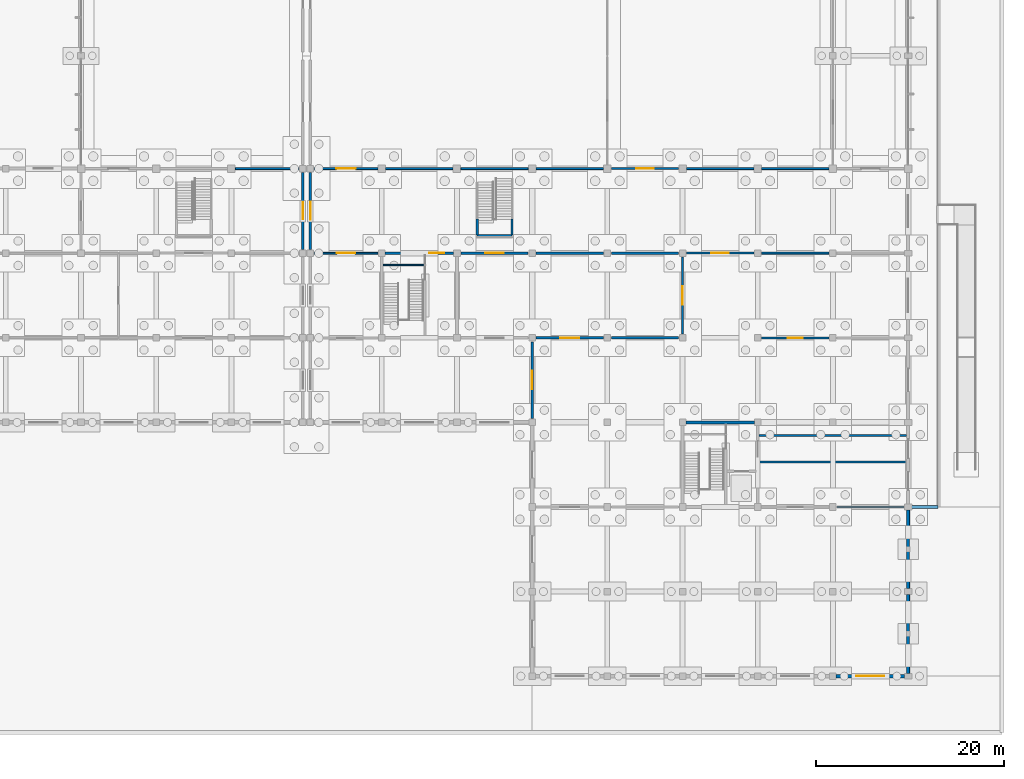
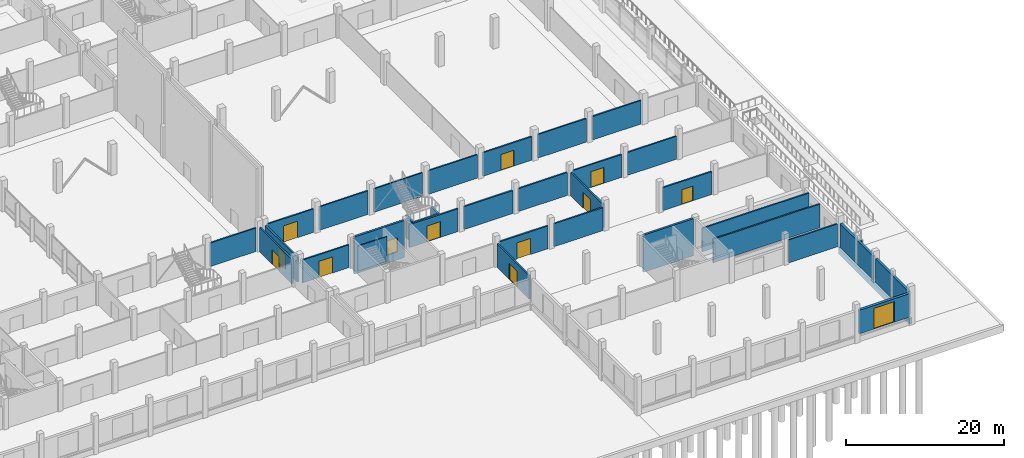
# One storey, part 53 of 72: 35 walls, 13 doors, 13 openings.
"""IFC4 building model written with IfcOpenShell, lengths in metres."""

from ifc_helpers import new_model, si_unit, direction, frame, frame_2d, origin, place, context, subcontext, project, spatial, rectangle, extrude, material, layer, layer_set, type_object, element, fill, save


model = new_model("IFC4")

# Units and contexts
model_context = context("Model", 3, precision=1e-05, world=origin(), true_north=direction((0.0, 1.0)))
body_context = subcontext(model_context, "Body", "Model", "MODEL_VIEW")
ifc_project = project(units=[si_unit("LENGTHUNIT", "METRE"), si_unit("AREAUNIT", "SQUARE_METRE"), si_unit("VOLUMEUNIT", "CUBIC_METRE"), si_unit("PLANEANGLEUNIT", "RADIAN"), si_unit("MASSUNIT", "GRAM", prefix="KILO"), si_unit("THERMODYNAMICTEMPERATUREUNIT", "KELVIN"), si_unit("POWERUNIT", "WATT")], contexts=[model_context])

# Site, building, storey
site_placement = place(None, origin())
site = spatial("IfcSite", under=ifc_project, at=site_placement, CompositionType="ELEMENT")
building_placement = place(site_placement, origin())
building = spatial("IfcBuilding", under=site, at=building_placement, Name="Kronsvod Quay Wholesale Market", CompositionType="ELEMENT")
storey_placement = place(building_placement, origin())
storey = spatial("IfcBuildingStorey", under=building, at=storey_placement, Name="L00", CompositionType="ELEMENT", Elevation=0.0)

# Wall, opening, door
ifc_material_1 = material(Name="Polyisocyanurate deep-freeze panel")
ifc_layer_1 = layer(ifc_material_1, 0.22998046875)
ifc_layer_set_1 = layer_set([ifc_layer_1], Name="Polyisocyanurate deep-freeze panel")
wall_type_1 = type_object("IfcWallType", Name="Wall_ColdFreezer230", PredefinedType="PARTITIONING", material=ifc_layer_set_1)
wall_1_placement = place(storey_placement, frame((152.0, 27.419921875, 0.0), z_axis=(0.0, 0.0, 1.0), x_axis=(0.0, 1.0, 0.0)))
wall_1 = element("IfcWall", 1, at=wall_1_placement, inside=storey, type_object=wall_type_1, Name="PW-L00-0046", PredefinedType="PARTITIONING", context=body_context, shape_type="SweptSolid", body=[
    extrude(rectangle(XDim=8.16015625, YDim=0.22998046875, at=frame_2d((4.080078125, 0.0))), origin(), (0.0, 0.0, 1.0), 3.64990234375),
])
opening_1_placement = place(wall_1_placement, frame((3.10498046875, 0.0, 0.0)))
opening_1 = element("IfcOpeningElement", 2, at=opening_1_placement, cuts=wall_1, Name="Opening D-0153", PredefinedType="OPENING", context=body_context, shape_type="SweptSolid", body=[
    extrude(rectangle(XDim=1.949951171875, YDim=2.449951171875, at=frame_2d((0.97509765625, 1.22509765625))), frame((0.0, 0.125, 0.0), z_axis=(0.0, -1.0, 0.0), x_axis=(1.0, 0.0, 0.0)), (0.0, 0.0, 1.0), 0.25),
])
ifc_material_2 = material(Name="Heated-frame deep-freeze sliding door", Category="steel")
door_type_1 = type_object("IfcDoorType", Name="Door_FreezerSlide195x245", OperationType="SLIDING_TO_RIGHT", PredefinedType="DOOR", material=ifc_material_2)
door_1_placement = place(opening_1_placement, origin())
door_1 = element("IfcDoor", 3, at=door_1_placement, inside=storey, type_object=door_type_1, Name="Interior Door D-0153", OperationType="SLIDING_TO_LEFT", OverallHeight=2.449951171875, OverallWidth=1.949951171875, PredefinedType="DOOR", context=body_context, shape_type="SweptSolid", body=[
    extrude(rectangle(XDim=1.949951171875, YDim=2.449951171875, at=frame_2d((0.97509765625, 1.22509765625))), frame((0.0, 0.02490234375, 0.0), z_axis=(0.0, -1.0, 0.0), x_axis=(1.0, 0.0, 0.0)), (0.0, 0.0, 1.0), 0.050048828125),
])
fill(opening_1, door_1)

wall_2_placement = place(storey_placement, frame((152.419921875, 36.0, 0.0), z_axis=(0.0, 0.0, 1.0), x_axis=(1.0, 0.0, 0.0)))
wall_2 = element("IfcWall", 4, at=wall_2_placement, inside=storey, type_object=wall_type_1, Name="PW-L00-0053", PredefinedType="PARTITIONING", context=body_context, shape_type="SweptSolid", body=[
    extrude(rectangle(XDim=7.16015625, YDim=0.22998046875, at=frame_2d((3.580078125, 0.0))), origin(), (0.0, 0.0, 1.0), 3.550048828125),
])
opening_2_placement = place(wall_2_placement, frame((2.580078125, 0.0, 0.0)))
opening_2 = element("IfcOpeningElement", 5, at=opening_2_placement, cuts=wall_2, Name="Opening D-0158", PredefinedType="OPENING", context=body_context, shape_type="SweptSolid", body=[
    extrude(rectangle(XDim=2.0, YDim=2.5, at=frame_2d((1.0, 1.25))), frame((0.0, 0.125, 0.0), z_axis=(0.0, -1.0, 0.0), x_axis=(1.0, 0.0, 0.0)), (0.0, 0.0, 1.0), 0.25),
])
ifc_material_3 = material(Name="Heated-frame deep-freeze sliding door", Category="steel")
door_type_2 = type_object("IfcDoorType", Name="Door_FreezerSlide200x250", OperationType="SLIDING_TO_LEFT", PredefinedType="DOOR", material=ifc_material_3)
door_2_placement = place(opening_2_placement, origin())
door_2 = element("IfcDoor", 6, at=door_2_placement, inside=storey, type_object=door_type_2, Name="Interior Door D-0158", OperationType="SLIDING_TO_LEFT", OverallHeight=2.5, OverallWidth=2.0, PredefinedType="DOOR", context=body_context, shape_type="SweptSolid", body=[
    extrude(rectangle(XDim=2.0, YDim=2.5, at=frame_2d((1.0, 1.25))), frame((0.0, 0.02490234375, 0.0), z_axis=(0.0, -1.0, 0.0), x_axis=(1.0, 0.0, 0.0)), (0.0, 0.0, 1.0), 0.050048828125),
])
fill(opening_2, door_2)

# Wall
wall_3_placement = place(storey_placement, frame((160.419921875, 36.0, 0.0), z_axis=(0.0, 0.0, 1.0), x_axis=(1.0, 0.0, 0.0)))
element("IfcWall", 7, at=wall_3_placement, inside=storey, type_object=wall_type_1, Name="PW-L00-0054", PredefinedType="PARTITIONING", context=body_context, shape_type="SweptSolid", body=[
    extrude(rectangle(XDim=7.16015625, YDim=0.22998046875, at=frame_2d((3.580078125, 0.0))), origin(), (0.0, 0.0, 1.0), 3.550048828125),
])

# Wall, opening, door
wall_4_placement = place(storey_placement, frame((168.0, 36.419921875, 0.0), z_axis=(0.0, 0.0, 1.0), x_axis=(0.0, 1.0, 0.0)))
wall_4 = element("IfcWall", 8, at=wall_4_placement, inside=storey, type_object=wall_type_1, Name="PW-L00-0070", PredefinedType="PARTITIONING", context=body_context, shape_type="SweptSolid", body=[
    extrude(rectangle(XDim=8.16015625, YDim=0.22998046875, at=frame_2d((4.080078125, 0.0))), origin(), (0.0, 0.0, 1.0), 3.64990234375),
])
opening_3_placement = place(wall_4_placement, frame((3.080078125, 0.0, 0.0)))
opening_3 = element("IfcOpeningElement", 9, at=opening_3_placement, cuts=wall_4, Name="Opening D-0167", PredefinedType="OPENING", context=body_context, shape_type="SweptSolid", body=[
    extrude(rectangle(XDim=2.0, YDim=2.5, at=frame_2d((1.0, 1.25))), frame((0.0, 0.125, 0.0), z_axis=(0.0, -1.0, 0.0), x_axis=(1.0, 0.0, 0.0)), (0.0, 0.0, 1.0), 0.25),
])
door_3_placement = place(opening_3_placement, origin())
door_3 = element("IfcDoor", 10, at=door_3_placement, inside=storey, type_object=door_type_2, Name="Interior Door D-0167", OperationType="SLIDING_TO_LEFT", OverallHeight=2.5, OverallWidth=2.0, PredefinedType="DOOR", context=body_context, shape_type="SweptSolid", body=[
    extrude(rectangle(XDim=2.0, YDim=2.5, at=frame_2d((1.0, 1.25))), frame((0.0, 0.02490234375, 0.0), z_axis=(0.0, -1.0, 0.0), x_axis=(1.0, 0.0, 0.0)), (0.0, 0.0, 1.0), 0.050048828125),
])
fill(opening_3, door_3)

wall_5_placement = place(storey_placement, frame((144.419921875, 45.0, 0.0), z_axis=(0.0, 0.0, 1.0), x_axis=(1.0, 0.0, 0.0)))
wall_5 = element("IfcWall", 11, at=wall_5_placement, inside=storey, type_object=wall_type_1, Name="PW-L00-0071", PredefinedType="PARTITIONING", context=body_context, shape_type="SweptSolid", body=[
    extrude(rectangle(XDim=7.16015625, YDim=0.22998046875, at=frame_2d((3.580078125, 0.0))), origin(), (0.0, 0.0, 1.0), 3.550048828125),
])
opening_4_placement = place(wall_5_placement, frame((2.60498046875, 0.0, 0.0)))
opening_4 = element("IfcOpeningElement", 12, at=opening_4_placement, cuts=wall_5, Name="Opening D-0168", PredefinedType="OPENING", context=body_context, shape_type="SweptSolid", body=[
    extrude(rectangle(XDim=1.949951171875, YDim=2.449951171875, at=frame_2d((0.97509765625, 1.22509765625))), frame((0.0, 0.125, 0.0), z_axis=(0.0, -1.0, 0.0), x_axis=(1.0, 0.0, 0.0)), (0.0, 0.0, 1.0), 0.25),
])
door_4_placement = place(opening_4_placement, origin())
door_4 = element("IfcDoor", 13, at=door_4_placement, inside=storey, type_object=door_type_1, Name="Interior Door D-0168", OperationType="SLIDING_TO_LEFT", OverallHeight=2.449951171875, OverallWidth=1.949951171875, PredefinedType="DOOR", context=body_context, shape_type="SweptSolid", body=[
    extrude(rectangle(XDim=1.949951171875, YDim=2.449951171875, at=frame_2d((0.97509765625, 1.22509765625))), frame((0.0, 0.02490234375, 0.0), z_axis=(0.0, -1.0, 0.0), x_axis=(1.0, 0.0, 0.0)), (0.0, 0.0, 1.0), 0.050048828125),
])
fill(opening_4, door_4)

# Walls
for number, where, z_axis, x_axis, name in (
    (14, (152.419921875, 45.0, 0.0), (0.0, 0.0, 1.0), (1.0, 0.0, 0.0), "PW-L00-0072"),
    (15, (160.419921875, 45.0, 0.0), (0.0, 0.0, 1.0), (1.0, 0.0, 0.0), "PW-L00-0073"),
):
    element("IfcWall", number, at=place(storey_placement, frame(where, z_axis=z_axis, x_axis=x_axis)), inside=storey, type_object=wall_type_1, Name=name, PredefinedType="PARTITIONING", context=body_context, shape_type="SweptSolid", body=[
        extrude(rectangle(XDim=7.16015625, YDim=0.22998046875, at=frame_2d((3.580078125, 0.0))), origin(), (0.0, 0.0, 1.0), 3.550048828125),
    ])

# Wall, opening, door
ifc_material_4 = material(Name="Polyisocyanurate insulated cold-room panel")
ifc_layer_2 = layer(ifc_material_4, 0.195068359375)
ifc_layer_set_2 = layer_set([ifc_layer_2], Name="Polyisocyanurate insulated cold-room panel")
wall_type_2 = type_object("IfcWallType", Name="Wall_ColdInsul195", PredefinedType="PARTITIONING", material=ifc_layer_set_2)
wall_6_placement = place(storey_placement, frame((128.820068359375, 45.0, 0.0), z_axis=(0.0, 0.0, 1.0), x_axis=(1.0, 0.0, 0.0)))
wall_6 = element("IfcWall", 16, at=wall_6_placement, inside=storey, type_object=wall_type_2, Name="PW-L00-0069", PredefinedType="PARTITIONING", context=body_context, shape_type="SweptSolid", body=[
    extrude(rectangle(XDim=6.760009765625, YDim=0.195068359375, at=frame_2d((3.3798828125, 0.0))), origin(), (0.0, 0.0, 1.0), 3.550048828125),
])
opening_5_placement = place(wall_6_placement, frame((2.3798828125, 0.0, 0.0)))
opening_5 = element("IfcOpeningElement", 17, at=opening_5_placement, cuts=wall_6, Name="Opening D-0166", PredefinedType="OPENING", context=body_context, shape_type="SweptSolid", body=[
    extrude(rectangle(XDim=2.0, YDim=2.52001953125, at=frame_2d((1.0, 1.260009765625))), frame((0.0, 0.107421875, 0.0), z_axis=(0.0, -1.0, 0.0), x_axis=(1.0, 0.0, 0.0)), (0.0, 0.0, 1.0), 0.215087890625),
])
ifc_material_5 = material(Name="Insulated stainless cold-store door", Category="steel")
door_type_3 = type_object("IfcDoorType", Name="Door_ColdSlide200x252", OperationType="SLIDING_TO_RIGHT", PredefinedType="DOOR", material=ifc_material_5)
door_5_placement = place(opening_5_placement, origin())
door_5 = element("IfcDoor", 18, at=door_5_placement, inside=storey, type_object=door_type_3, Name="Interior Door D-0166", OperationType="SLIDING_TO_LEFT", OverallHeight=2.52001953125, OverallWidth=2.0, PredefinedType="DOOR", context=body_context, shape_type="SweptSolid", body=[
    extrude(rectangle(XDim=2.0, YDim=2.52001953125, at=frame_2d((1.0, 1.260009765625))), frame((0.0, 0.02490234375, 0.0), z_axis=(0.0, -1.0, 0.0), x_axis=(1.0, 0.0, 0.0)), (0.0, 0.0, 1.0), 0.050048828125),
])
fill(opening_5, door_5)

wall_7_placement = place(storey_placement, frame((128.820068359375, 54.0, 0.0), z_axis=(0.0, 0.0, 1.0), x_axis=(1.0, 0.0, 0.0)))
wall_7 = element("IfcWall", 19, at=wall_7_placement, inside=storey, type_object=wall_type_2, Name="PW-L00-0099", PredefinedType="PARTITIONING", context=body_context, shape_type="SweptSolid", body=[
    extrude(rectangle(XDim=6.760009765625, YDim=0.195068359375, at=frame_2d((3.3798828125, 0.0))), origin(), (0.0, 0.0, 1.0), 3.64990234375),
])
opening_6_placement = place(wall_7_placement, frame((2.330078125, 0.0, 0.0)))
opening_6 = element("IfcOpeningElement", 20, at=opening_6_placement, cuts=wall_7, Name="Opening D-0180", PredefinedType="OPENING", context=body_context, shape_type="SweptSolid", body=[
    extrude(rectangle(XDim=2.10009765625, YDim=2.550048828125, at=frame_2d((1.050048828125, 1.27490234375))), frame((0.0, 0.107421875, 0.0), z_axis=(0.0, -1.0, 0.0), x_axis=(1.0, 0.0, 0.0)), (0.0, 0.0, 1.0), 0.215087890625),
])
ifc_material_6 = material(Name="Insulated stainless cold-store door", Category="steel")
door_type_4 = type_object("IfcDoorType", Name="Door_ColdSlide210x255", OperationType="SLIDING_TO_RIGHT", PredefinedType="DOOR", material=ifc_material_6)
door_6_placement = place(opening_6_placement, origin())
door_6 = element("IfcDoor", 21, at=door_6_placement, inside=storey, type_object=door_type_4, Name="Interior Door D-0180", OperationType="SLIDING_TO_LEFT", OverallHeight=2.550048828125, OverallWidth=2.10009765625, PredefinedType="DOOR", context=body_context, shape_type="SweptSolid", body=[
    extrude(rectangle(XDim=2.10009765625, YDim=2.550048828125, at=frame_2d((1.050048828125, 1.27490234375))), frame((0.0, 0.02490234375, 0.0), z_axis=(0.0, -1.0, 0.0), x_axis=(1.0, 0.0, 0.0)), (0.0, 0.0, 1.0), 0.050048828125),
])
fill(opening_6, door_6)

# Walls
for number, where, z_axis, x_axis, name in (
    (22, (136.419921875, 54.0, 0.0), (0.0, 0.0, 1.0), (1.0, 0.0, 0.0), "PW-L00-0100"),
    (23, (144.419921875, 54.0, 0.0), (0.0, 0.0, 1.0), (1.0, 0.0, 0.0), "PW-L00-0101"),
    (24, (152.419921875, 54.0, 0.0), (0.0, 0.0, 1.0), (1.0, 0.0, 0.0), "PW-L00-0102"),
):
    element("IfcWall", number, at=place(storey_placement, frame(where, z_axis=z_axis, x_axis=x_axis)), inside=storey, type_object=wall_type_2, Name=name, PredefinedType="PARTITIONING", context=body_context, shape_type="SweptSolid", body=[
        extrude(rectangle(XDim=7.16015625, YDim=0.195068359375, at=frame_2d((3.580078125, 0.0))), origin(), (0.0, 0.0, 1.0), 3.64990234375),
    ])

# Wall, opening, door
ifc_material_7 = material(Name="Polyisocyanurate insulated cold-room panel")
ifc_layer_3 = layer(ifc_material_7, 0.2099609375)
ifc_layer_set_3 = layer_set([ifc_layer_3], Name="Polyisocyanurate insulated cold-room panel")
wall_type_3 = type_object("IfcWallType", Name="Wall_ColdInsul210", PredefinedType="PARTITIONING", material=ifc_layer_set_3)
wall_8_placement = place(storey_placement, frame((168.419921875, 45.0, 0.0), z_axis=(0.0, 0.0, 1.0), x_axis=(1.0, 0.0, 0.0)))
wall_8 = element("IfcWall", 25, at=wall_8_placement, inside=storey, type_object=wall_type_3, Name="PW-L00-0074", PredefinedType="PARTITIONING", context=body_context, shape_type="SweptSolid", body=[
    extrude(rectangle(XDim=7.16015625, YDim=0.2099609375, at=frame_2d((3.580078125, 0.0))), origin(), (0.0, 0.0, 1.0), 3.550048828125),
])
opening_7_placement = place(wall_8_placement, frame((2.655029296875, 0.0, 0.0)))
opening_7 = element("IfcOpeningElement", 26, at=opening_7_placement, cuts=wall_8, Name="Opening D-0169", PredefinedType="OPENING", context=body_context, shape_type="SweptSolid", body=[
    extrude(rectangle(XDim=1.85009765625, YDim=2.449951171875, at=frame_2d((0.925048828125, 1.22509765625))), frame((0.0, 0.114990234375, 0.0), z_axis=(0.0, -1.0, 0.0), x_axis=(1.0, 0.0, 0.0)), (0.0, 0.0, 1.0), 0.22998046875),
])
ifc_material_8 = material(Name="Insulated stainless cold-store door", Category="steel")
door_type_5 = type_object("IfcDoorType", Name="Door_ColdSlide185x245", OperationType="SLIDING_TO_LEFT", PredefinedType="DOOR", material=ifc_material_8)
door_7_placement = place(opening_7_placement, origin())
door_7 = element("IfcDoor", 27, at=door_7_placement, inside=storey, type_object=door_type_5, Name="Interior Door D-0169", OperationType="SLIDING_TO_LEFT", OverallHeight=2.449951171875, OverallWidth=1.85009765625, PredefinedType="DOOR", context=body_context, shape_type="SweptSolid", body=[
    extrude(rectangle(XDim=1.85009765625, YDim=2.449951171875, at=frame_2d((0.925048828125, 1.22509765625))), frame((0.0, 0.02490234375, 0.0), z_axis=(0.0, -1.0, 0.0), x_axis=(1.0, 0.0, 0.0)), (0.0, 0.0, 1.0), 0.050048828125),
])
fill(opening_7, door_7)

# Walls
wall_9_placement = place(storey_placement, frame((176.419921875, 45.0, 0.0), z_axis=(0.0, 0.0, 1.0), x_axis=(1.0, 0.0, 0.0)))
element("IfcWall", 28, at=wall_9_placement, inside=storey, type_object=wall_type_3, Name="PW-L00-0075", PredefinedType="PARTITIONING", context=body_context, shape_type="SweptSolid", body=[
    extrude(rectangle(XDim=7.16015625, YDim=0.2099609375, at=frame_2d((3.580078125, 0.0))), origin(), (0.0, 0.0, 1.0), 3.550048828125),
])
wall_10_placement = place(storey_placement, frame((120.419921875, 54.0, 0.0), z_axis=(0.0, 0.0, 1.0), x_axis=(1.0, 0.0, 0.0)))
element("IfcWall", 29, at=wall_10_placement, inside=storey, type_object=wall_type_3, Name="PW-L00-0098", PredefinedType="PARTITIONING", context=body_context, shape_type="SweptSolid", body=[
    extrude(rectangle(XDim=6.760009765625, YDim=0.2099609375, at=frame_2d((3.3798828125, 0.0))), origin(), (0.0, 0.0, 1.0), 3.64990234375),
])

# Wall, opening, door
wall_11_placement = place(storey_placement, frame((160.419921875, 54.0, 0.0), z_axis=(0.0, 0.0, 1.0), x_axis=(1.0, 0.0, 0.0)))
wall_11 = element("IfcWall", 30, at=wall_11_placement, inside=storey, type_object=wall_type_3, Name="PW-L00-0103", PredefinedType="PARTITIONING", context=body_context, shape_type="SweptSolid", body=[
    extrude(rectangle(XDim=7.16015625, YDim=0.2099609375, at=frame_2d((3.580078125, 0.0))), origin(), (0.0, 0.0, 1.0), 3.64990234375),
])
opening_8_placement = place(wall_11_placement, frame((2.655029296875, 0.0, 0.0)))
opening_8 = element("IfcOpeningElement", 31, at=opening_8_placement, cuts=wall_11, Name="Opening D-0181", PredefinedType="OPENING", context=body_context, shape_type="SweptSolid", body=[
    extrude(rectangle(XDim=1.85009765625, YDim=2.449951171875, at=frame_2d((0.925048828125, 1.22509765625))), frame((0.0, 0.114990234375, 0.0), z_axis=(0.0, -1.0, 0.0), x_axis=(1.0, 0.0, 0.0)), (0.0, 0.0, 1.0), 0.22998046875),
])
door_8_placement = place(opening_8_placement, origin())
door_8 = element("IfcDoor", 32, at=door_8_placement, inside=storey, type_object=door_type_5, Name="Interior Door D-0181", OperationType="SLIDING_TO_LEFT", OverallHeight=2.449951171875, OverallWidth=1.85009765625, PredefinedType="DOOR", context=body_context, shape_type="SweptSolid", body=[
    extrude(rectangle(XDim=1.85009765625, YDim=2.449951171875, at=frame_2d((0.925048828125, 1.22509765625))), frame((0.0, 0.02490234375, 0.0), z_axis=(0.0, -1.0, 0.0), x_axis=(1.0, 0.0, 0.0)), (0.0, 0.0, 1.0), 0.050048828125),
])
fill(opening_8, door_8)

# Walls
for number, where, z_axis, x_axis, name in (
    (33, (168.419921875, 54.0, 0.0), (0.0, 0.0, 1.0), (1.0, 0.0, 0.0), "PW-L00-0104"),
    (34, (176.419921875, 54.0, 0.0), (0.0, 0.0, 1.0), (1.0, 0.0, 0.0), "PW-L00-0105"),
):
    element("IfcWall", number, at=place(storey_placement, frame(where, z_axis=z_axis, x_axis=x_axis)), inside=storey, type_object=wall_type_3, Name=name, PredefinedType="PARTITIONING", context=body_context, shape_type="SweptSolid", body=[
        extrude(rectangle(XDim=7.16015625, YDim=0.2099609375, at=frame_2d((3.580078125, 0.0))), origin(), (0.0, 0.0, 1.0), 3.64990234375),
    ])

# Wall, opening, door
ifc_material_9 = material(Name="Concrete C35/45", Category="concrete")
ifc_layer_4 = layer(ifc_material_9, 0.300048828125)
ifc_layer_set_4 = layer_set([ifc_layer_4], Name="Concrete C35/45")
wall_type_4 = type_object("IfcWallType", Name="Wall_CoreShear300", PredefinedType="SHEAR", material=ifc_layer_set_4)
wall_12_placement = place(storey_placement, frame((136.344970703125, 45.0, -1.25), z_axis=(0.0, 0.0, 1.0), x_axis=(1.0, 0.0, 0.0)))
wall_12 = element("IfcWall", 35, at=wall_12_placement, inside=storey, type_object=wall_type_4, Name="CW-C05-L00-N", PredefinedType="SHEAR", context=body_context, shape_type="SweptSolid", body=[
    extrude(rectangle(XDim=7.31005859375, YDim=0.300048828125, at=frame_2d((3.655029296875, 0.0))), origin(), (0.0, 0.0, 1.0), 5.7548828125),
])
opening_9_placement = place(wall_12_placement, frame((4.699951171875, 0.0, 1.25)))
opening_9 = element("IfcOpeningElement", 36, at=opening_9_placement, cuts=wall_12, Name="Opening D-0047", PredefinedType="OPENING", context=body_context, shape_type="SweptSolid", body=[
    extrude(rectangle(XDim=1.60009765625, YDim=2.199951171875, at=frame_2d((0.800048828125, 1.10009765625))), frame((0.0, 0.16015625, 0.0), z_axis=(0.0, -1.0, 0.0), x_axis=(1.0, 0.0, 0.0)), (0.0, 0.0, 1.0), 0.320068359375),
])
ifc_material_10 = material(Name="Painted galvanized fire steel", Category="steel")
door_type_6 = type_object("IfcDoorType", Name="Door_FireLobby160x220", OperationType="DOUBLE_DOOR_SINGLE_SWING", PredefinedType="DOOR", material=ifc_material_10)
door_9_placement = place(opening_9_placement, origin())
door_9 = element("IfcDoor", 37, at=door_9_placement, inside=storey, type_object=door_type_6, Name="Core Lobby Door D-0047", OperationType="DOUBLE_DOOR_SINGLE_SWING", OverallHeight=2.199951171875, OverallWidth=1.60009765625, PredefinedType="DOOR", context=body_context, shape_type="SweptSolid", body=[
    extrude(rectangle(XDim=1.60009765625, YDim=2.199951171875, at=frame_2d((0.800048828125, 1.10009765625))), frame((0.0, 0.02490234375, 0.0), z_axis=(0.0, -1.0, 0.0), x_axis=(1.0, 0.0, 0.0)), (0.0, 0.0, 1.0), 0.050048828125),
])
fill(opening_9, door_9)

# Walls
wall_13_placement = place(storey_placement, frame((168.344970703125, 27.0, -1.25), z_axis=(0.0, 0.0, 1.0), x_axis=(1.0, 0.0, 0.0)))
element("IfcWall", 38, at=wall_13_placement, inside=storey, type_object=wall_type_4, Name="CW-C06-L00-N", PredefinedType="SHEAR", context=body_context, shape_type="SweptSolid", body=[
    extrude(rectangle(XDim=7.31005859375, YDim=0.300048828125, at=frame_2d((3.655029296875, 0.0))), origin(), (0.0, 0.0, 1.0), 5.7548828125),
])
ifc_material_11 = material(Name="Precast concrete C40/50", Category="concrete")
ifc_layer_5 = layer(ifc_material_11, 0.340087890625)
ifc_layer_set_5 = layer_set([ifc_layer_5], Name="Precast concrete C40/50")
wall_type_5 = type_object("IfcWallType", Name="Wall_ExtColdSandwich340", PredefinedType="SOLIDWALL", material=ifc_layer_set_5)
for number, where, z_axis, x_axis, name in (
    (39, (192.0, 0.304931640625, 0.0), (0.0, 0.0, 1.0), (0.0, 1.0, 0.0), "EW-Y-L00-0092"),
    (40, (192.0, 9.304931640625, 0.0), (0.0, 0.0, 1.0), (0.0, 1.0, 0.0), "EW-Y-L00-0093"),
):
    element("IfcWall", number, at=place(storey_placement, frame(where, z_axis=z_axis, x_axis=x_axis)), inside=storey, type_object=wall_type_5, Name=name, PredefinedType="SOLIDWALL", context=body_context, shape_type="SweptSolid", body=[
        extrude(rectangle(XDim=8.39013671875, YDim=0.340087890625, at=frame_2d((4.195068359375, 0.0))), origin(), (0.0, 0.0, 1.0), 3.64990234375),
    ])

# Wall, opening, door
ifc_material_12 = material(Name="Precast concrete C40/50", Category="concrete")
ifc_layer_6 = layer(ifc_material_12, 0.3798828125)
ifc_layer_set_6 = layer_set([ifc_layer_6], Name="Precast concrete C40/50")
wall_type_6 = type_object("IfcWallType", Name="Wall_ExtColdSandwich380", PredefinedType="SOLIDWALL", material=ifc_layer_set_6)
wall_14_placement = place(storey_placement, frame((184.344970703125, 0.0, 0.0), z_axis=(0.0, 0.0, 1.0), x_axis=(1.0, 0.0, 0.0)))
wall_14 = element("IfcWall", 41, at=wall_14_placement, inside=storey, type_object=wall_type_6, Name="EW-X-L00-0069", PredefinedType="SOLIDWALL", context=body_context, shape_type="SweptSolid", body=[
    extrude(rectangle(XDim=7.25, YDim=0.3798828125, at=frame_2d((3.625, 0.0))), origin(), (0.0, 0.0, 1.0), 3.64990234375),
])
opening_10_placement = place(wall_14_placement, frame((2.125, 0.0, 0.0)))
opening_10 = element("IfcOpeningElement", 42, at=opening_10_placement, cuts=wall_14, Name="Opening ED-036", PredefinedType="OPENING", context=body_context, shape_type="SweptSolid", body=[
    extrude(rectangle(XDim=3.0, YDim=3.199951171875, at=frame_2d((1.5, 1.60009765625))), frame((0.0, 0.199951171875, 0.0), z_axis=(0.0, -1.0, 0.0), x_axis=(1.0, 0.0, 0.0)), (0.0, 0.0, 1.0), 0.39990234375),
])
ifc_material_13 = material(Name="Insulated galvanized steel sectional shutter", Category="steel")
door_type_7 = type_object("IfcDoorType", Name="Door_DockShutter300x320", OperationType="ROLLINGUP", PredefinedType="GATE", material=ifc_material_13)
door_10_placement = place(opening_10_placement, origin())
door_10 = element("IfcDoor", 43, at=door_10_placement, inside=storey, type_object=door_type_7, Name="Loading Dock Door ED-036", OperationType="ROLLINGUP", OverallHeight=3.199951171875, OverallWidth=3.0, PredefinedType="GATE", context=body_context, shape_type="SweptSolid", body=[
    extrude(rectangle(XDim=3.0, YDim=3.199951171875, at=frame_2d((1.5, 1.60009765625))), frame((0.0, 0.02490234375, 0.0), z_axis=(0.0, -1.0, 0.0), x_axis=(1.0, 0.0, 0.0)), (0.0, 0.0, 1.0), 0.050048828125),
])
fill(opening_10, door_10)

ifc_material_14 = material(Name="Precast concrete C40/50", Category="concrete")
ifc_layer_7 = layer(ifc_material_14, 0.239990234375)
ifc_layer_set_7 = layer_set([ifc_layer_7], Name="Precast concrete C40/50")
wall_type_7 = type_object("IfcWallType", Name="Wall_ExtSpandrel240", PredefinedType="SOLIDWALL", material=ifc_layer_set_7)
wall_15_placement = place(storey_placement, frame((127.60009765625, 45.419921875, 0.0), z_axis=(0.0, 0.0, 1.0), x_axis=(0.0, 1.0, 0.0)))
wall_15 = element("IfcWall", 44, at=wall_15_placement, inside=storey, type_object=wall_type_7, Name="MJWG-L00-1276-450", PredefinedType="SOLIDWALL", context=body_context, shape_type="SweptSolid", body=[
    extrude(rectangle(XDim=8.16015625, YDim=0.239990234375, at=frame_2d((4.080078125, 0.0))), origin(), (0.0, 0.0, 1.0), 3.820068359375),
])
opening_11_placement = place(wall_15_placement, frame((3.179931640625, 0.0, 0.0)))
opening_11 = element("IfcOpeningElement", 45, at=opening_11_placement, cuts=wall_15, Name="Opening D-0334", PredefinedType="OPENING", context=body_context, shape_type="SweptSolid", body=[
    extrude(rectangle(XDim=1.800048828125, YDim=2.300048828125, at=frame_2d((0.89990234375, 1.14990234375))), frame((0.0, 0.1298828125, 0.0), z_axis=(0.0, -1.0, 0.0), x_axis=(1.0, 0.0, 0.0)), (0.0, 0.0, 1.0), 0.260009765625),
])
ifc_material_15 = material(Name="Painted galvanized fire steel", Category="steel")
door_type_8 = type_object("IfcDoorType", Name="Door_FireComp180x230", OperationType="DOUBLE_DOOR_SINGLE_SWING", PredefinedType="DOOR", material=ifc_material_15)
door_11_placement = place(opening_11_placement, origin())
door_11 = element("IfcDoor", 46, at=door_11_placement, inside=storey, type_object=door_type_8, Name="Fire Compartment Door D-0334", OperationType="DOUBLE_DOOR_SINGLE_SWING", OverallHeight=2.300048828125, OverallWidth=1.800048828125, PredefinedType="DOOR", context=body_context, shape_type="SweptSolid", body=[
    extrude(rectangle(XDim=1.800048828125, YDim=2.300048828125, at=frame_2d((0.89990234375, 1.14990234375))), frame((0.0, 0.02490234375, 0.0), z_axis=(0.0, -1.0, 0.0), x_axis=(1.0, 0.0, 0.0)), (0.0, 0.0, 1.0), 0.050048828125),
])
fill(opening_11, door_11)

wall_16_placement = place(storey_placement, frame((128.39990234375, 45.419921875, 0.0), z_axis=(0.0, 0.0, 1.0), x_axis=(0.0, 1.0, 0.0)))
wall_16 = element("IfcWall", 47, at=wall_16_placement, inside=storey, type_object=wall_type_7, Name="MJWG-L00-1284-450", PredefinedType="SOLIDWALL", context=body_context, shape_type="SweptSolid", body=[
    extrude(rectangle(XDim=8.16015625, YDim=0.239990234375, at=frame_2d((4.080078125, 0.0))), origin(), (0.0, 0.0, 1.0), 3.820068359375),
])
opening_12_placement = place(wall_16_placement, frame((3.1298828125, 0.0, 0.0)))
opening_12 = element("IfcOpeningElement", 48, at=opening_12_placement, cuts=wall_16, Name="Opening D-0343", PredefinedType="OPENING", context=body_context, shape_type="SweptSolid", body=[
    extrude(rectangle(XDim=1.89990234375, YDim=2.35009765625, at=frame_2d((0.949951171875, 1.175048828125))), frame((0.0, 0.1298828125, 0.0), z_axis=(0.0, -1.0, 0.0), x_axis=(1.0, 0.0, 0.0)), (0.0, 0.0, 1.0), 0.260009765625),
])
ifc_material_16 = material(Name="Painted galvanized fire steel", Category="steel")
door_type_9 = type_object("IfcDoorType", Name="Door_FireComp190x235", OperationType="DOUBLE_DOOR_SINGLE_SWING", PredefinedType="DOOR", material=ifc_material_16)
door_12_placement = place(opening_12_placement, origin())
door_12 = element("IfcDoor", 49, at=door_12_placement, inside=storey, type_object=door_type_9, Name="Fire Compartment Door D-0343", OperationType="DOUBLE_DOOR_SINGLE_SWING", OverallHeight=2.35009765625, OverallWidth=1.89990234375, PredefinedType="DOOR", context=body_context, shape_type="SweptSolid", body=[
    extrude(rectangle(XDim=1.89990234375, YDim=2.35009765625, at=frame_2d((0.949951171875, 1.175048828125))), frame((0.0, 0.02490234375, 0.0), z_axis=(0.0, -1.0, 0.0), x_axis=(1.0, 0.0, 0.0)), (0.0, 0.0, 1.0), 0.050048828125),
])
fill(opening_12, door_12)

# Wall
ifc_material_17 = material(Name="Concrete C35/45", Category="concrete")
ifc_layer_8 = layer(ifc_material_17, 0.219970703125)
ifc_layer_set_8 = layer_set([ifc_layer_8], Name="Concrete C35/45")
wall_type_8 = type_object("IfcWallType", Name="Wall_FireComp220", PredefinedType="SOLIDWALL", material=ifc_layer_set_8)
wall_17_placement = place(storey_placement, frame((184.419921875, 18.0, 0.0), z_axis=(0.0, 0.0, 1.0), x_axis=(1.0, 0.0, 0.0)))
element("IfcWall", 50, at=wall_17_placement, inside=storey, type_object=wall_type_8, Name="PW-L00-0052", PredefinedType="SOLIDWALL", context=body_context, shape_type="SweptSolid", body=[
    extrude(rectangle(XDim=7.16015625, YDim=0.219970703125, at=frame_2d((3.580078125, 0.0))), origin(), (0.0, 0.0, 1.0), 3.550048828125),
])

# Wall, opening, door
wall_18_placement = place(storey_placement, frame((176.419921875, 36.0, 0.0), z_axis=(0.0, 0.0, 1.0), x_axis=(1.0, 0.0, 0.0)))
wall_18 = element("IfcWall", 51, at=wall_18_placement, inside=storey, type_object=wall_type_8, Name="PW-L00-0055", PredefinedType="SOLIDWALL", context=body_context, shape_type="SweptSolid", body=[
    extrude(rectangle(XDim=7.16015625, YDim=0.219970703125, at=frame_2d((3.580078125, 0.0))), origin(), (0.0, 0.0, 1.0), 3.550048828125),
])
opening_13_placement = place(wall_18_placement, frame((2.780029296875, 0.0, 0.0)))
opening_13 = element("IfcOpeningElement", 52, at=opening_13_placement, cuts=wall_18, Name="Opening D-0159", PredefinedType="OPENING", context=body_context, shape_type="SweptSolid", body=[
    extrude(rectangle(XDim=1.60009765625, YDim=2.280029296875, at=frame_2d((0.800048828125, 1.14013671875))), frame((0.0, 0.1201171875, 0.0), z_axis=(0.0, -1.0, 0.0), x_axis=(1.0, 0.0, 0.0)), (0.0, 0.0, 1.0), 0.239990234375),
])
ifc_material_18 = material(Name="Painted steel plant door", Category="steel")
door_type_10 = type_object("IfcDoorType", Name="Door_Plant160x228", OperationType="DOUBLE_DOOR_SINGLE_SWING", PredefinedType="DOOR", material=ifc_material_18)
door_13_placement = place(opening_13_placement, origin())
door_13 = element("IfcDoor", 53, at=door_13_placement, inside=storey, type_object=door_type_10, Name="Interior Door D-0159", OperationType="DOUBLE_DOOR_SINGLE_SWING", OverallHeight=2.280029296875, OverallWidth=1.60009765625, PredefinedType="DOOR", context=body_context, shape_type="SweptSolid", body=[
    extrude(rectangle(XDim=1.60009765625, YDim=2.280029296875, at=frame_2d((0.800048828125, 1.14013671875))), frame((0.0, 0.02490234375, 0.0), z_axis=(0.0, -1.0, 0.0), x_axis=(1.0, 0.0, 0.0)), (0.0, 0.0, 1.0), 0.050048828125),
])
fill(opening_13, door_13)

# Walls
for number, where, z_axis, x_axis, name in (
    (54, (176.14990234375, 22.800048828125, 0.0), (0.0, 0.0, 1.0), (1.0, 0.0, 0.0), "XPW-C06-S"),
    (55, (176.14990234375, 25.60009765625, 0.0), (0.0, 0.0, 1.0), (1.0, 0.0, 0.0), "XPW-C06-N"),
):
    element("IfcWall", number, at=place(storey_placement, frame(where, z_axis=z_axis, x_axis=x_axis)), inside=storey, type_object=wall_type_8, Name=name, PredefinedType="SOLIDWALL", context=body_context, shape_type="SweptSolid", body=[
        extrude(rectangle(XDim=15.68017578125, YDim=0.219970703125, at=frame_2d((7.840087890625, 0.0))), origin(), (0.0, 0.0, 1.0), 3.64990234375),
    ])
ifc_material_19 = material(Name="Fire-rated shaft riser block wall", Category="masonry")
ifc_layer_9 = layer(ifc_material_19, 0.1298828125)
ifc_layer_set_9 = layer_set([ifc_layer_9], Name="Fire-rated shaft riser block wall")
wall_type_9 = type_object("IfcWallType", Name="Wall_PartRiser130", PredefinedType="PARTITIONING", material=ifc_layer_set_9)
wall_19_placement = place(storey_placement, frame((136.179931640625, 43.75, 0.0), z_axis=(0.0, 0.0, 1.0), x_axis=(1.0, 0.0, 0.0)))
element("IfcWall", 56, at=wall_19_placement, inside=storey, type_object=wall_type_9, Name="CW-C05-L00-RSR", PredefinedType="PARTITIONING", context=body_context, shape_type="SweptSolid", body=[
    extrude(rectangle(XDim=4.280029296875, YDim=0.1298828125, at=frame_2d((2.14013671875, 0.0))), origin(), (0.0, 0.0, 1.0), 3.85498046875),
])
wall_20_placement = place(storey_placement, frame((146.14990234375, 46.85009765625, -1.25), z_axis=(0.0, 0.0, 1.0), x_axis=(1.0, 0.0, 0.0)))
element("IfcWall", 57, at=wall_20_placement, inside=storey, type_object=wall_type_9, Name="ST-GAL-E2-SWS", PredefinedType="PARTITIONING", context=body_context, shape_type="SweptSolid", body=[
    extrude(rectangle(XDim=3.7001953125, YDim=0.239990234375, at=frame_2d((1.85009765625, 0.0))), origin(), (0.0, 0.0, 1.0), 3.469970703125),
])
for number, where, z_axis, x_axis, name in (
    (58, (146.14990234375, 46.949951171875, -1.25), (0.0, 0.0, 1.0), (0.0, 1.0, 0.0), "ST-GAL-E2-SWW"),
    (59, (149.85009765625, 46.949951171875, -1.25), (0.0, 0.0, 1.0), (0.0, 1.0, 0.0), "ST-GAL-E2-SWE"),
):
    element("IfcWall", number, at=place(storey_placement, frame(where, z_axis=z_axis, x_axis=x_axis)), inside=storey, type_object=wall_type_9, Name=name, PredefinedType="PARTITIONING", context=body_context, shape_type="SweptSolid", body=[
        extrude(rectangle(XDim=1.699951171875, YDim=0.239990234375, at=frame_2d((0.85009765625, 0.0))), origin(), (0.0, 0.0, 1.0), 3.469970703125),
    ])
ifc_material_20 = material(Name="Precast concrete C40/50", Category="concrete")
ifc_layer_10 = layer(ifc_material_20, 0.35009765625)
ifc_layer_set_10 = layer_set([ifc_layer_10], Name="Precast concrete C40/50")
wall_type_10 = type_object("IfcWallType", Name="Wall_PlinthSkirt350", PredefinedType="STANDARD", material=ifc_layer_set_10)
wall_21_placement = place(storey_placement, frame((192.0, 18.0, -1.25), z_axis=(0.0, 0.0, 1.0), x_axis=(1.0, 0.0, 0.0)))
element("IfcWall", 60, at=wall_21_placement, inside=storey, type_object=wall_type_10, Name="RW-EDK3", PredefinedType="STANDARD", context=body_context, shape_type="SweptSolid", body=[
    extrude(rectangle(XDim=3.199951171875, YDim=0.35009765625, at=frame_2d((1.60009765625, 0.0))), origin(), (0.0, 0.0, 1.0), 0.969970703125),
])
ifc_material_21 = material(Name="Precast concrete C40/50", Category="concrete")
ifc_layer_11 = layer(ifc_material_21, 0.39990234375)
ifc_layer_set_11 = layer_set([ifc_layer_11], Name="Precast concrete C40/50")
wall_type_11 = type_object("IfcWallType", Name="Wall_PlinthSkirt400", PredefinedType="STANDARD", material=ifc_layer_set_11)
wall_22_placement = place(storey_placement, frame((192.0, 0.0, -1.25), z_axis=(0.0, 0.0, 1.0), x_axis=(0.0, 1.0, 0.0)))
element("IfcWall", 61, at=wall_22_placement, inside=storey, type_object=wall_type_11, Name="RW-E0", PredefinedType="STANDARD", context=body_context, shape_type="SweptSolid", body=[
    extrude(rectangle(XDim=18.0, YDim=0.39990234375, at=frame_2d((9.0, 0.0))), origin(), (0.0, 0.0, 1.0), 0.89990234375),
])

save(model, "model.ifc")
